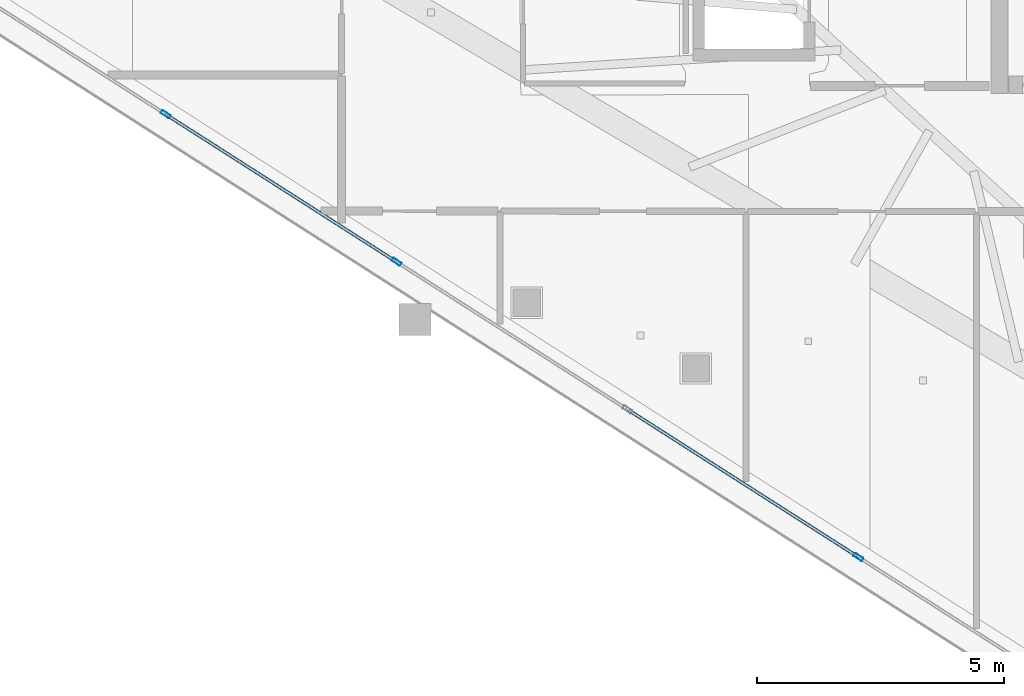
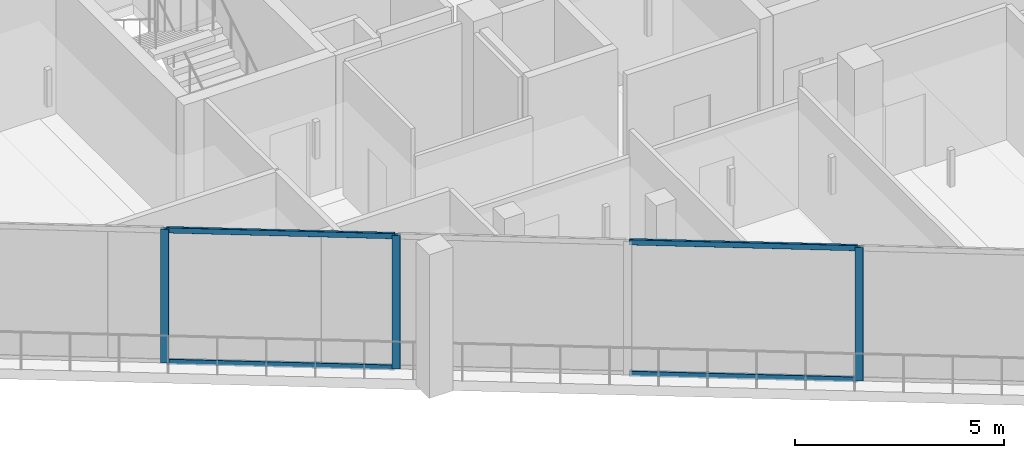
# One storey, part 2 of 29: 7 members, 1 element without a shape of its own.
"""IFC4 building model written with IfcOpenShell, lengths in metres."""

from ifc_helpers import new_model, si_unit, direction, frame, origin, origin_2d, place, context, subcontext, project, spatial, hollow_rectangle, extrude, material, layer, layer_set, material_profile, profile_set, type_object, element, aggregate, save


model = new_model("IFC4")

# Units and contexts
model_context = context("Model", 3, precision=1e-05, world=origin(), true_north=direction((0.0, 1.0)))
body_context = subcontext(model_context, "Body", "Model", "MODEL_VIEW")
ifc_project = project(units=[si_unit("LENGTHUNIT", "METRE"), si_unit("AREAUNIT", "SQUARE_METRE"), si_unit("VOLUMEUNIT", "CUBIC_METRE"), si_unit("PLANEANGLEUNIT", "RADIAN"), si_unit("MASSUNIT", "GRAM", prefix="KILO")], contexts=[model_context])

# Site, building, storey
site_placement = place(None, origin())
site = spatial("IfcSite", under=ifc_project, at=site_placement, CompositionType="ELEMENT")
building_placement = place(site_placement, origin())
building = spatial("IfcBuilding", under=site, at=building_placement, Name="Qorvath Tower", CompositionType="ELEMENT")
storey_placement = place(building_placement, frame((0.0, 0.0, 285.0)))
storey = spatial("IfcBuildingStorey", under=building, at=storey_placement, Name="L66", CompositionType="ELEMENT", Elevation=285.0)

# Curtain wall, members
ifc_material_1 = material(Name="Anodised aluminium and triple low-E glass", Category="aluminium")
ifc_layer = layer(ifc_material_1, 0.179931640625)
ifc_layer_set = layer_set([ifc_layer], Name="CW-SYS-4")
curtain_wall_type = type_object("IfcCurtainWallType", Name="CW-SYS-4", PredefinedType="NOTDEFINED", material=ifc_layer_set)
curtain_wall_placement = place(storey_placement, origin())
curtain_wall = element("IfcCurtainWall", 1, at=curtain_wall_placement, inside=storey, type_object=curtain_wall_type, Name="Curtain Wall CW-4 CW-T-L66-2.1", PredefinedType="NOTDEFINED")
ifc_material_2 = material(Name="Anodised aluminium 6063-T6", Category="aluminium")
ifc_material_profile_1 = material_profile(ifc_material_2, hollow_rectangle(XDim=0.074951171875, YDim=0.199951171875, WallThickness=0.00390625, InnerFilletRadius=0.00390625, OuterFilletRadius=0.008056640625, at=origin_2d()), Name="CWM 200x75")
ifc_profile_set_1 = profile_set([ifc_material_profile_1], Name="Anodised aluminium 6063-T6")
member_type_1 = type_object("IfcMemberType", Name="CWM-200", PredefinedType="MULLION", material=ifc_profile_set_1)
member_1_placement = place(storey_placement, frame((-41.42333984375, -8.973388671875, 0.0), z_axis=(0.0, 0.0, 1.0), x_axis=(0.538532094557, 0.842604998283, 0.0)))
member_1 = element("IfcMember", 2, at=member_1_placement, type_object=member_type_1, Name="CW-4 mullion 3", PredefinedType="MULLION", context=body_context, shape_type="SweptSolid", body=[
    extrude(hollow_rectangle(XDim=0.074951171875, YDim=0.199951171875, WallThickness=0.00390625, InnerFilletRadius=0.00390625, OuterFilletRadius=0.008056640625, at=origin_2d()), origin(), (0.0, 0.0, 1.0), 3.909912109375),
])
member_2_placement = place(storey_placement, frame((-36.743408203125, -11.96435546875, 0.0), z_axis=(0.0, 0.0, 1.0), x_axis=(0.538532094557, 0.842604998283, 0.0)))
member_2 = element("IfcMember", 3, at=member_2_placement, type_object=member_type_1, Name="CW-4 mullion 4", PredefinedType="MULLION", context=body_context, shape_type="SweptSolid", body=[
    extrude(hollow_rectangle(XDim=0.074951171875, YDim=0.199951171875, WallThickness=0.00390625, InnerFilletRadius=0.00390625, OuterFilletRadius=0.008056640625, at=origin_2d()), origin(), (0.0, 0.0, 1.0), 3.909912109375),
])
member_3_placement = place(storey_placement, frame((-27.383544921875, -17.946533203125, 0.0), z_axis=(0.0, 0.0, 1.0), x_axis=(0.538532094557, 0.842604998283, 0.0)))
member_3 = element("IfcMember", 4, at=member_3_placement, type_object=member_type_1, Name="CW-4 mullion 6", PredefinedType="MULLION", context=body_context, shape_type="SweptSolid", body=[
    extrude(hollow_rectangle(XDim=0.074951171875, YDim=0.199951171875, WallThickness=0.00390625, InnerFilletRadius=0.00390625, OuterFilletRadius=0.008056640625, at=origin_2d()), origin(), (0.0, 0.0, 1.0), 3.909912109375),
])
ifc_material_3 = material(Name="Anodised aluminium 6063-T6", Category="aluminium")
ifc_material_profile_2 = material_profile(ifc_material_3, hollow_rectangle(XDim=0.06494140625, YDim=0.159912109375, WallThickness=0.00341796875, InnerFilletRadius=0.00341796875, OuterFilletRadius=0.007080078125, at=origin_2d()), Name="CWT 160x65")
ifc_profile_set_2 = profile_set([ifc_material_profile_2], Name="Anodised aluminium 6063-T6")
member_type_2 = type_object("IfcMemberType", Name="CWT-160", PredefinedType="USERDEFINED", material=ifc_profile_set_2)
member_4_placement = place(storey_placement, frame((-41.391845703125, -8.99365234375, 0.032470703125), z_axis=(0.842615950321, -0.538514958256, 0.0), x_axis=(0.538514958256, 0.842615950321, 0.0)))
member_4 = element("IfcMember", 5, at=member_4_placement, type_object=member_type_2, Name="CW-4 transom 3.1", ObjectType="TRANSOM", PredefinedType="USERDEFINED", context=body_context, shape_type="SweptSolid", body=[
    extrude(hollow_rectangle(XDim=0.06494140625, YDim=0.159912109375, WallThickness=0.00341796875, InnerFilletRadius=0.00341796875, OuterFilletRadius=0.007080078125, at=origin_2d()), origin(), (0.0, 0.0, 1.0), 5.479248046875),
])
member_5_placement = place(storey_placement, frame((-41.391845703125, -8.99365234375, 3.87744140625), z_axis=(0.842615950321, -0.538514958256, 0.0), x_axis=(0.538514958256, 0.842615950321, 0.0)))
member_5 = element("IfcMember", 6, at=member_5_placement, type_object=member_type_2, Name="CW-4 transom 3.2", ObjectType="TRANSOM", PredefinedType="USERDEFINED", context=body_context, shape_type="SweptSolid", body=[
    extrude(hollow_rectangle(XDim=0.06494140625, YDim=0.159912109375, WallThickness=0.00341796875, InnerFilletRadius=0.00341796875, OuterFilletRadius=0.007080078125, at=origin_2d()), origin(), (0.0, 0.0, 1.0), 5.479248046875),
])
member_6_placement = place(storey_placement, frame((-32.031982421875, -14.9755859375, 0.032470703125), z_axis=(0.842615950321, -0.538514958256, 0.0), x_axis=(0.538514958256, 0.842615950321, 0.0)))
member_6 = element("IfcMember", 7, at=member_6_placement, type_object=member_type_2, Name="CW-4 transom 5.1", ObjectType="TRANSOM", PredefinedType="USERDEFINED", context=body_context, shape_type="SweptSolid", body=[
    extrude(hollow_rectangle(XDim=0.06494140625, YDim=0.159912109375, WallThickness=0.00341796875, InnerFilletRadius=0.00341796875, OuterFilletRadius=0.007080078125, at=origin_2d()), origin(), (0.0, 0.0, 1.0), 5.479248046875),
])
member_7_placement = place(storey_placement, frame((-32.031982421875, -14.9755859375, 3.87744140625), z_axis=(0.842615950321, -0.538514958256, 0.0), x_axis=(0.538514958256, 0.842615950321, 0.0)))
member_7 = element("IfcMember", 8, at=member_7_placement, type_object=member_type_2, Name="CW-4 transom 5.2", ObjectType="TRANSOM", PredefinedType="USERDEFINED", context=body_context, shape_type="SweptSolid", body=[
    extrude(hollow_rectangle(XDim=0.06494140625, YDim=0.159912109375, WallThickness=0.00341796875, InnerFilletRadius=0.00341796875, OuterFilletRadius=0.007080078125, at=origin_2d()), origin(), (0.0, 0.0, 1.0), 5.479248046875),
])
aggregate(curtain_wall, [member_1, member_2, member_3, member_4, member_5, member_6, member_7])

save(model, "model.ifc")
